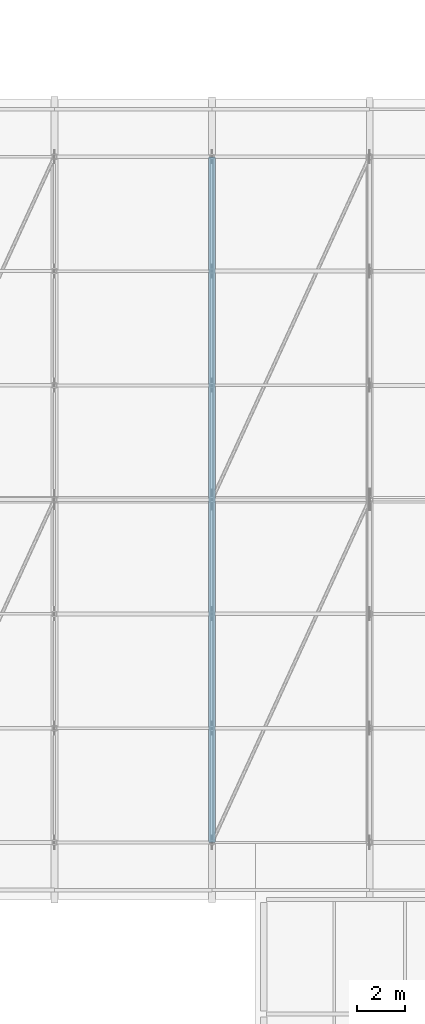
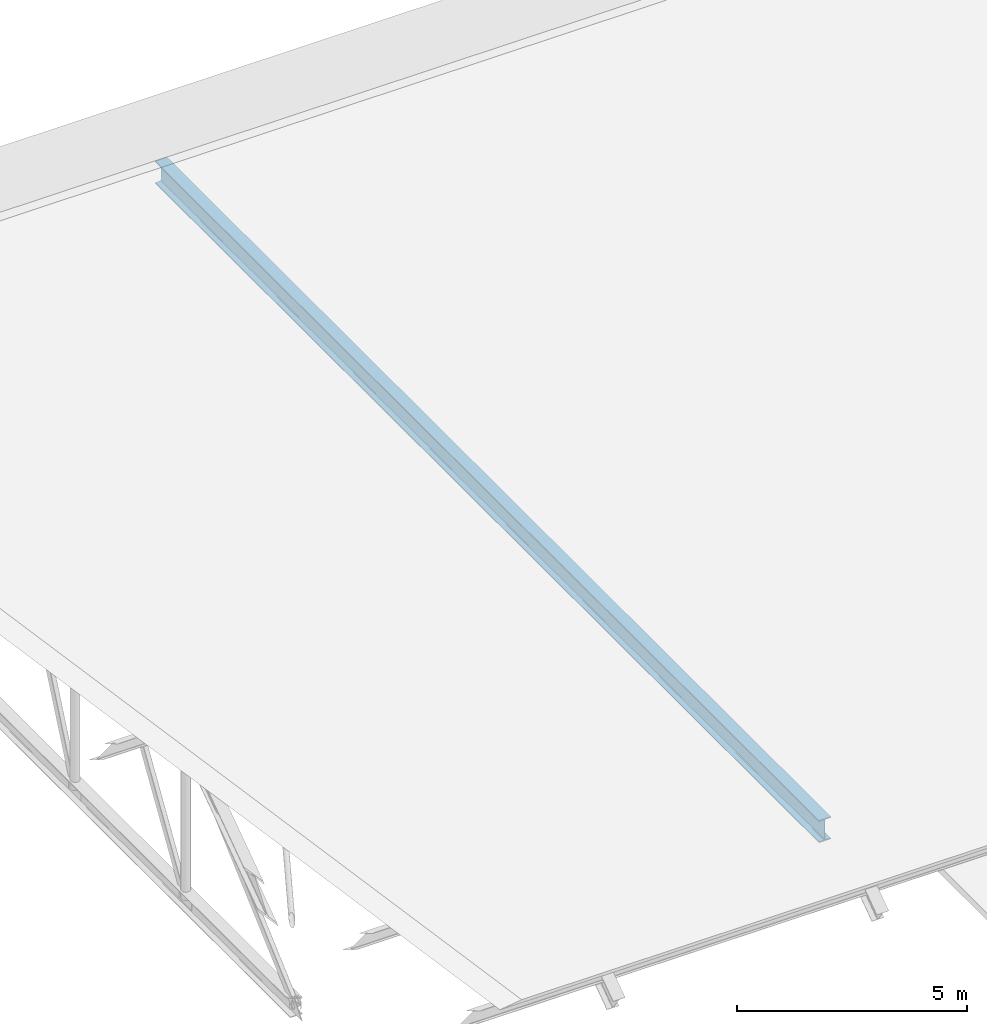
# One storey, part 58 of 134: 1 member.
"""IFC4 building model written with IfcOpenShell, lengths in metres."""

from ifc_helpers import new_model, si_unit, direction, frame, origin, origin_2d, place, context, subcontext, project, spatial, i_section, extrude, material, material_profile, profile_set, type_object, element, save


model = new_model("IFC4")

# Units and contexts
model_context = context("Model", 3, precision=1e-05, world=origin(), true_north=direction((0.0, 1.0)))
body_context = subcontext(model_context, "Body", "Model", "MODEL_VIEW")
ifc_project = project(units=[si_unit("LENGTHUNIT", "METRE"), si_unit("AREAUNIT", "SQUARE_METRE"), si_unit("VOLUMEUNIT", "CUBIC_METRE"), si_unit("PLANEANGLEUNIT", "RADIAN"), si_unit("MASSUNIT", "GRAM", prefix="KILO")], contexts=[model_context])

# Site, building, storey
site_placement = place(None, origin())
site = spatial("IfcSite", under=ifc_project, at=site_placement, CompositionType="ELEMENT")
building_placement = place(site_placement, origin())
building = spatial("IfcBuilding", under=site, at=building_placement, Name="Asteropetra Specialist Clinic", CompositionType="ELEMENT")
storey_placement = place(building_placement, frame((0.0, 0.0, 8.5)))
storey = spatial("IfcBuildingStorey", under=building, at=storey_placement, Name="L02", CompositionType="ELEMENT", Elevation=8.5)

# Member
ifc_material = material(Name="Steel S355", Category="steel")
ifc_material_profile = material_profile(ifc_material, i_section(OverallWidth=0.300048828125, OverallDepth=0.590087890625, WebThickness=0.012939453125, FlangeThickness=0.02490234375, FilletRadius=0.027099609375, at=origin_2d()), Name="HEA 600")
ifc_profile_set = profile_set([ifc_material_profile], Name="Steel S355")
member_type = type_object("IfcMemberType", Name="TR-CHD-HEA600", PredefinedType="CHORD", material=ifc_profile_set)
member_placement = place(storey_placement, frame((113.3798828125, 76.800048828125, 0.4951171875), z_axis=(0.0, 1.0, 0.0), x_axis=(-1.0, 0.0, 0.0)))
element("IfcMember", 1, at=member_placement, inside=storey, type_object=member_type, Name="Truss Bottom Chord TRV1-BC05", PredefinedType="CHORD", context=body_context, shape_type="SweptSolid", body=[
    extrude(i_section(OverallWidth=0.300048828125, OverallDepth=0.590087890625, WebThickness=0.012939453125, FlangeThickness=0.02490234375, FilletRadius=0.027099609375, at=origin_2d()), origin(), (0.0, 0.0, 1.0), 28.800048828125),
])

save(model, "model.ifc")
